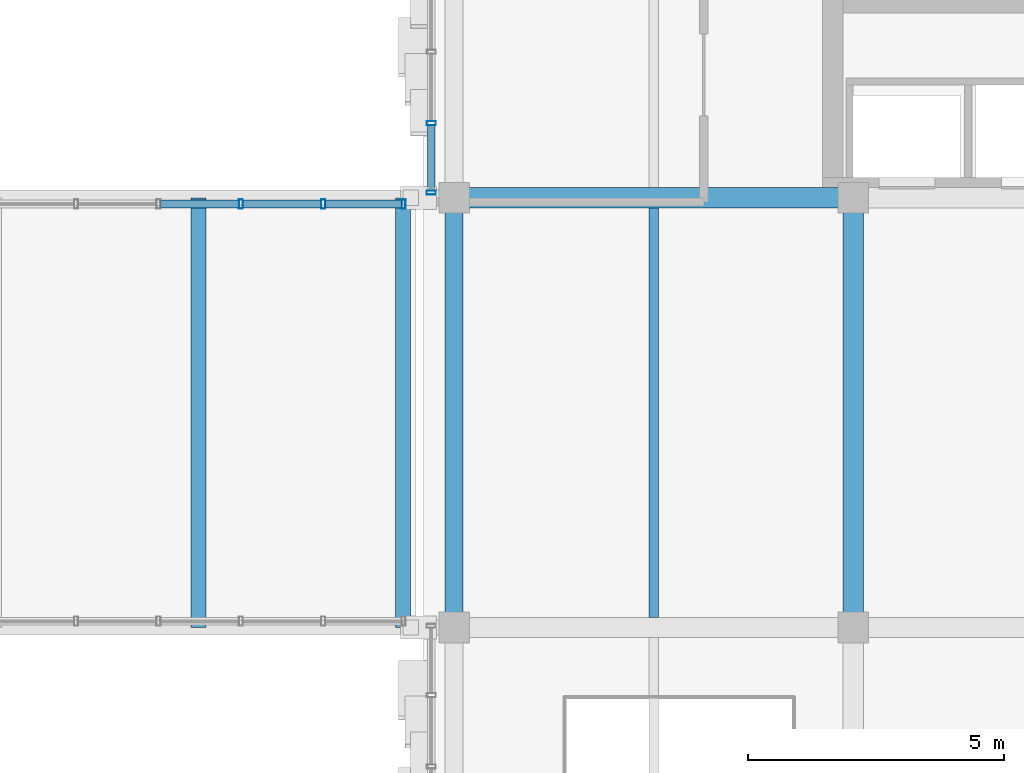
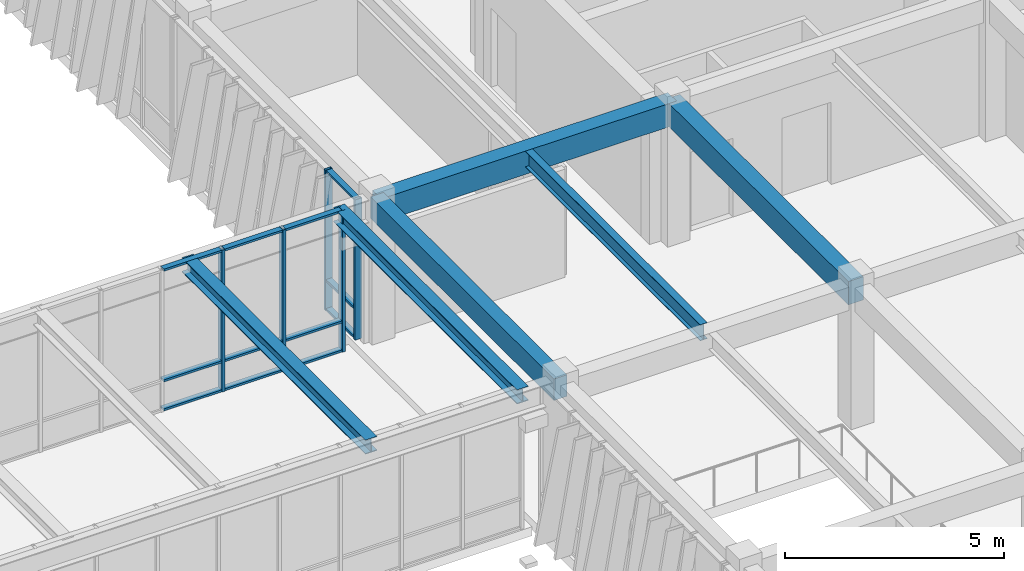
# One storey, part 63 of 127: 17 members, 6 beams, 2 elements without a shape of their own.
"""IFC4 building model written with IfcOpenShell, lengths in metres."""

from ifc_helpers import new_model, si_unit, direction, frame, origin, origin_2d, place, context, subcontext, project, spatial, rectangle, hollow_rectangle, i_section, extrude, material, layer, layer_set, material_profile, profile_set, type_object, element, aggregate, save


model = new_model("IFC4")

# Units and contexts
model_context = context("Model", 3, precision=1e-05, world=origin(), true_north=direction((0.0, 1.0)))
body_context = subcontext(model_context, "Body", "Model", "MODEL_VIEW")
ifc_project = project(units=[si_unit("LENGTHUNIT", "METRE"), si_unit("AREAUNIT", "SQUARE_METRE"), si_unit("VOLUMEUNIT", "CUBIC_METRE"), si_unit("PLANEANGLEUNIT", "RADIAN"), si_unit("MASSUNIT", "GRAM", prefix="KILO")], contexts=[model_context])

# Site, building, storey
site_placement = place(None, origin())
site = spatial("IfcSite", under=ifc_project, at=site_placement, CompositionType="ELEMENT")
building_placement = place(site_placement, origin())
building = spatial("IfcBuilding", under=site, at=building_placement, Name="Zayran Congress Hotel", CompositionType="ELEMENT")
storey_placement = place(building_placement, frame((0.0, 0.0, 10.800048828125)))
storey = spatial("IfcBuildingStorey", under=building, at=storey_placement, Name="L02", CompositionType="ELEMENT", Elevation=10.800048828125)

# Beams
ifc_material_1 = material(Name="Concrete C40/50", Category="concrete")
ifc_material_profile_1 = material_profile(ifc_material_1, rectangle(XDim=0.39990234375, YDim=0.64990234375, at=origin_2d()), Name="RC 400x650")
ifc_profile_set_1 = profile_set([ifc_material_profile_1], Name="Concrete C40/50")
beam_type_1 = type_object("IfcBeamType", Name="TP-BM-03", PredefinedType="BEAM", material=ifc_profile_set_1)
beam_1_placement = place(storey_placement, frame((109.800048828125, 84.39990234375, 3.594970703125), z_axis=(1.0, 0.0, 0.0), x_axis=(0.0, 1.0, 0.0)))
element("IfcBeam", 1, at=beam_1_placement, inside=storey, type_object=beam_type_1, Name="BM-V4-L02-1427", PredefinedType="BEAM", context=body_context, shape_type="SweptSolid", body=[
    extrude(rectangle(XDim=0.39990234375, YDim=0.64990234375, at=origin_2d()), origin(), (0.0, 0.0, 1.0), 7.800048828125),
])
beam_2_placement = place(storey_placement, frame((117.60009765625, 76.0, 3.594970703125), z_axis=(0.0, 1.0, 0.0), x_axis=(-1.0, 0.0, 0.0)))
element("IfcBeam", 2, at=beam_2_placement, inside=storey, type_object=beam_type_1, Name="BM-V4-L02-1450", PredefinedType="BEAM", context=body_context, shape_type="SweptSolid", body=[
    extrude(rectangle(XDim=0.39990234375, YDim=0.64990234375, at=origin_2d()), origin(), (0.0, 0.0, 1.0), 8.39990234375),
])
ifc_material_profile_2 = material_profile(ifc_material_1, rectangle(XDim=0.35009765625, YDim=0.60009765625, at=origin_2d()), Name="RC 350x600")
ifc_profile_set_2 = profile_set([ifc_material_profile_2], Name="Concrete C40/50")
beam_type_2 = type_object("IfcBeamType", Name="TP-SP-01", PredefinedType="SPANDREL", material=ifc_profile_set_2)
beam_3_placement = place(storey_placement, frame((109.800048828125, 76.0, 3.619873046875), z_axis=(0.0, 1.0, 0.0), x_axis=(-1.0, 0.0, 0.0)))
element("IfcBeam", 3, at=beam_3_placement, inside=storey, type_object=beam_type_2, Name="BM-V4-L02-1443", PredefinedType="SPANDREL", context=body_context, shape_type="SweptSolid", body=[
    extrude(rectangle(XDim=0.35009765625, YDim=0.60009765625, at=origin_2d()), origin(), (0.0, 0.0, 1.0), 8.39990234375),
])
ifc_material_2 = material(Name="Steel S355", Category="steel")
ifc_material_profile_3 = material_profile(ifc_material_2, i_section(OverallWidth=0.300048828125, OverallDepth=0.39990234375, WebThickness=0.013427734375, FlangeThickness=0.02392578125, at=origin_2d()), Name="HEB 400")
ifc_profile_set_3 = profile_set([ifc_material_profile_3], Name="Steel S355")
beam_type_3 = type_object("IfcBeamType", Name="TP-BM-10", PredefinedType="BEAM", material=ifc_profile_set_3)
for number, where, z_axis, x_axis, name in (
    (4, (104.800048828125, 76.0, 3.760009765625), (0.0, 1.0, 0.0), (-1.0, 0.0, 0.0), "BM-BR1C-L02-2420"),
    (5, (108.800048828125, 76.0, 3.760009765625), (0.0, 1.0, 0.0), (-1.0, 0.0, 0.0), "BM-BR1C-L02-2421"),
):
    element("IfcBeam", number, at=place(storey_placement, frame(where, z_axis=z_axis, x_axis=x_axis)), inside=storey, type_object=beam_type_3, Name=name, PredefinedType="BEAM", context=body_context, shape_type="SweptSolid", body=[
        extrude(i_section(OverallWidth=0.300048828125, OverallDepth=0.39990234375, WebThickness=0.013427734375, FlangeThickness=0.02392578125, at=origin_2d()), origin(), (0.0, 0.0, 1.0), 8.39990234375),
    ])
ifc_material_profile_4 = material_profile(ifc_material_2, i_section(OverallWidth=0.18994140625, OverallDepth=0.449951171875, WebThickness=0.009521484375, FlangeThickness=0.0146484375, at=origin_2d()), Name="IPE 450")
ifc_profile_set_4 = profile_set([ifc_material_profile_4], Name="Steel S355")
beam_type_4 = type_object("IfcBeamType", Name="TP-JS-02", PredefinedType="JOIST", material=ifc_profile_set_4)
beam_4_placement = place(storey_placement, frame((113.699951171875, 76.199951171875, 3.695068359375), z_axis=(0.0, 1.0, 0.0), x_axis=(-1.0, 0.0, 0.0)))
element("IfcBeam", 6, at=beam_4_placement, inside=storey, type_object=beam_type_4, Name="JST-V4-L02-1473", PredefinedType="JOIST", context=body_context, shape_type="SweptSolid", body=[
    extrude(i_section(OverallWidth=0.18994140625, OverallDepth=0.449951171875, WebThickness=0.009521484375, FlangeThickness=0.0146484375, at=origin_2d()), origin(), (0.0, 0.0, 1.0), 8.0),
])

# Curtain wall, members
ifc_material_3 = material(Name="Anodised aluminium and low-E insulated glass", Category="aluminium")
ifc_layer_1 = layer(ifc_material_3, 0.179931640625)
ifc_layer_set_1 = layer_set([ifc_layer_1], Name="Anodised aluminium and low-E insulated glass")
curtain_wall_type_1 = type_object("IfcCurtainWallType", Name="CW-V4W-L02-CW-53-8371-3920", PredefinedType="USERDEFINED", material=ifc_layer_set_1)
curtain_wall_1_placement = place(storey_placement, origin())
curtain_wall_1 = element("IfcCurtainWall", 7, at=curtain_wall_1_placement, inside=storey, type_object=curtain_wall_type_1, Name="CW-V4W-L02-5", ObjectType="CURTAIN WALL", PredefinedType="USERDEFINED")
ifc_material_4 = material(Name="Anodised aluminium framing", Category="aluminium")
ifc_material_profile_5 = material_profile(ifc_material_4, hollow_rectangle(XDim=0.080078125, YDim=0.179931640625, WallThickness=0.0048828125, at=origin_2d()), Name="RHS 180x80x5")
ifc_profile_set_5 = profile_set([ifc_material_profile_5], Name="Anodised aluminium framing")
member_type_1 = type_object("IfcMemberType", Name="TP-CWM-01", PredefinedType="MULLION", material=ifc_profile_set_5)
member_1_placement = place(storey_placement, frame((109.35009765625, 85.856201171875, 0.0), z_axis=(0.0, 0.0, 1.0), x_axis=(0.0, 1.0, 0.0)))
member_1 = element("IfcMember", 8, at=member_1_placement, type_object=member_type_1, Name="CW-V4W-L02-5-M05", PredefinedType="MULLION", context=body_context, shape_type="SweptSolid", body=[
    extrude(hollow_rectangle(XDim=0.080078125, YDim=0.179931640625, WallThickness=0.0048828125, at=origin_2d()), origin(), (0.0, 0.0, 1.0), 3.919921875),
])
member_2_placement = place(storey_placement, frame((109.35009765625, 84.5009765625, 0.0), z_axis=(0.0, 0.0, 1.0), x_axis=(0.0, 1.0, 0.0)))
member_2 = element("IfcMember", 9, at=member_2_placement, type_object=member_type_1, Name="CW-V4W-L02-5-M06", PredefinedType="MULLION", context=body_context, shape_type="SweptSolid", body=[
    extrude(hollow_rectangle(XDim=0.080078125, YDim=0.179931640625, WallThickness=0.0048828125, at=origin_2d()), origin(), (0.0, 0.0, 1.0), 3.919921875),
])

ifc_layer_2 = layer(ifc_material_3, 0.179931640625)
ifc_layer_set_2 = layer_set([ifc_layer_2], Name="Anodised aluminium and low-E insulated glass")
curtain_wall_type_2 = type_object("IfcCurtainWallType", Name="CW-BR1-L02-CW-BR1-16100-3960", PredefinedType="USERDEFINED", material=ifc_layer_set_2)
curtain_wall_2_placement = place(storey_placement, origin())
curtain_wall_2 = element("IfcCurtainWall", 10, at=curtain_wall_2_placement, inside=storey, type_object=curtain_wall_type_2, Name="CW-BR1N-L02", ObjectType="CURTAIN WALL", PredefinedType="USERDEFINED")
member_3_placement = place(storey_placement, frame((108.81005859375, 84.280029296875, 0.0), z_axis=(0.0, 0.0, 1.0), x_axis=(1.0, 0.0, 0.0)))
member_3 = element("IfcMember", 11, at=member_3_placement, type_object=member_type_1, Name="CW-BR1N-L02-M00", PredefinedType="MULLION", context=body_context, shape_type="SweptSolid", body=[
    extrude(hollow_rectangle(XDim=0.080078125, YDim=0.179931640625, WallThickness=0.0048828125, at=origin_2d()), origin(), (0.0, 0.0, 1.0), 3.9599609375),
])
member_4_placement = place(storey_placement, frame((107.239990234375, 84.280029296875, 0.0), z_axis=(0.0, 0.0, 1.0), x_axis=(1.0, 0.0, 0.0)))
member_4 = element("IfcMember", 12, at=member_4_placement, type_object=member_type_1, Name="CW-BR1N-L02-M01", PredefinedType="MULLION", context=body_context, shape_type="SweptSolid", body=[
    extrude(hollow_rectangle(XDim=0.080078125, YDim=0.179931640625, WallThickness=0.0048828125, at=origin_2d()), origin(), (0.0, 0.0, 1.0), 3.9599609375),
])
member_5_placement = place(storey_placement, frame((105.6298828125, 84.280029296875, 0.0), z_axis=(0.0, 0.0, 1.0), x_axis=(1.0, 0.0, 0.0)))
member_5 = element("IfcMember", 13, at=member_5_placement, type_object=member_type_1, Name="CW-BR1N-L02-M02", PredefinedType="MULLION", context=body_context, shape_type="SweptSolid", body=[
    extrude(hollow_rectangle(XDim=0.080078125, YDim=0.179931640625, WallThickness=0.0048828125, at=origin_2d()), origin(), (0.0, 0.0, 1.0), 3.9599609375),
])

# Member
ifc_material_profile_6 = material_profile(ifc_material_4, hollow_rectangle(XDim=0.06005859375, YDim=0.14990234375, WallThickness=0.00390625, at=origin_2d()), Name="RHS 150x60x4")
ifc_profile_set_6 = profile_set([ifc_material_profile_6], Name="Anodised aluminium framing")
member_type_2 = type_object("IfcMemberType", Name="TP-CWT-01", PredefinedType="USERDEFINED", material=ifc_profile_set_6)
member_6_placement = place(storey_placement, frame((109.35009765625, 85.816162109375, 0.030029296875), z_axis=(0.0, -1.0, 0.0), x_axis=(0.0, 0.0, 1.0)))
member_6 = element("IfcMember", 14, at=member_6_placement, type_object=member_type_2, Name="CW-V4W-L02-5-T05-0", ObjectType="TRANSOM", PredefinedType="USERDEFINED", context=body_context, shape_type="SweptSolid", body=[
    extrude(hollow_rectangle(XDim=0.06005859375, YDim=0.14990234375, WallThickness=0.00390625, at=origin_2d()), origin(), (0.0, 0.0, 1.0), 1.275146484375),
])

member_7_placement = place(storey_placement, frame((109.35009765625, 85.816162109375, 0.83984375), z_axis=(0.0, -1.0, 0.0), x_axis=(0.0, 0.0, 1.0)))
member_7 = element("IfcMember", 15, at=member_7_placement, type_object=member_type_2, Name="CW-V4W-L02-5-T05-1", ObjectType="TRANSOM", PredefinedType="USERDEFINED", context=body_context, shape_type="SweptSolid", body=[
    extrude(hollow_rectangle(XDim=0.06005859375, YDim=0.14990234375, WallThickness=0.00390625, at=origin_2d()), origin(), (0.0, 0.0, 1.0), 1.275146484375),
])

member_8_placement = place(storey_placement, frame((109.35009765625, 85.816162109375, 3.889892578125), z_axis=(0.0, -1.0, 0.0), x_axis=(0.0, 0.0, 1.0)))
member_8 = element("IfcMember", 16, at=member_8_placement, type_object=member_type_2, Name="CW-V4W-L02-5-T05-2", ObjectType="TRANSOM", PredefinedType="USERDEFINED", context=body_context, shape_type="SweptSolid", body=[
    extrude(hollow_rectangle(XDim=0.06005859375, YDim=0.14990234375, WallThickness=0.00390625, at=origin_2d()), origin(), (0.0, 0.0, 1.0), 1.275146484375),
])

aggregate(curtain_wall_1, [member_1, member_2, member_6, member_7, member_8])

member_9_placement = place(storey_placement, frame((108.77001953125, 84.280029296875, 0.030029296875), z_axis=(-1.0, 0.0, 0.0), x_axis=(0.0, 0.0, 1.0)))
member_9 = element("IfcMember", 17, at=member_9_placement, type_object=member_type_2, Name="CW-BR1N-L02-T00-0", ObjectType="TRANSOM", PredefinedType="USERDEFINED", context=body_context, shape_type="SweptSolid", body=[
    extrude(hollow_rectangle(XDim=0.06005859375, YDim=0.14990234375, WallThickness=0.00390625, at=origin_2d()), origin(), (0.0, 0.0, 1.0), 1.489990234375),
])

member_10_placement = place(storey_placement, frame((108.77001953125, 84.280029296875, 0.83984375), z_axis=(-1.0, 0.0, 0.0), x_axis=(0.0, 0.0, 1.0)))
member_10 = element("IfcMember", 18, at=member_10_placement, type_object=member_type_2, Name="CW-BR1N-L02-T00-1", ObjectType="TRANSOM", PredefinedType="USERDEFINED", context=body_context, shape_type="SweptSolid", body=[
    extrude(hollow_rectangle(XDim=0.06005859375, YDim=0.14990234375, WallThickness=0.00390625, at=origin_2d()), origin(), (0.0, 0.0, 1.0), 1.489990234375),
])

member_11_placement = place(storey_placement, frame((108.77001953125, 84.280029296875, 3.929931640625), z_axis=(-1.0, 0.0, 0.0), x_axis=(0.0, 0.0, 1.0)))
member_11 = element("IfcMember", 19, at=member_11_placement, type_object=member_type_2, Name="CW-BR1N-L02-T00-2", ObjectType="TRANSOM", PredefinedType="USERDEFINED", context=body_context, shape_type="SweptSolid", body=[
    extrude(hollow_rectangle(XDim=0.06005859375, YDim=0.14990234375, WallThickness=0.00390625, at=origin_2d()), origin(), (0.0, 0.0, 1.0), 1.489990234375),
])

member_12_placement = place(storey_placement, frame((107.199951171875, 84.280029296875, 0.030029296875), z_axis=(-1.0, 0.0, 0.0), x_axis=(0.0, 0.0, 1.0)))
member_12 = element("IfcMember", 20, at=member_12_placement, type_object=member_type_2, Name="CW-BR1N-L02-T01-0", ObjectType="TRANSOM", PredefinedType="USERDEFINED", context=body_context, shape_type="SweptSolid", body=[
    extrude(hollow_rectangle(XDim=0.06005859375, YDim=0.14990234375, WallThickness=0.00390625, at=origin_2d()), origin(), (0.0, 0.0, 1.0), 1.530029296875),
])

member_13_placement = place(storey_placement, frame((107.199951171875, 84.280029296875, 0.83984375), z_axis=(-1.0, 0.0, 0.0), x_axis=(0.0, 0.0, 1.0)))
member_13 = element("IfcMember", 21, at=member_13_placement, type_object=member_type_2, Name="CW-BR1N-L02-T01-1", ObjectType="TRANSOM", PredefinedType="USERDEFINED", context=body_context, shape_type="SweptSolid", body=[
    extrude(hollow_rectangle(XDim=0.06005859375, YDim=0.14990234375, WallThickness=0.00390625, at=origin_2d()), origin(), (0.0, 0.0, 1.0), 1.530029296875),
])

member_14_placement = place(storey_placement, frame((107.199951171875, 84.280029296875, 3.929931640625), z_axis=(-1.0, 0.0, 0.0), x_axis=(0.0, 0.0, 1.0)))
member_14 = element("IfcMember", 22, at=member_14_placement, type_object=member_type_2, Name="CW-BR1N-L02-T01-2", ObjectType="TRANSOM", PredefinedType="USERDEFINED", context=body_context, shape_type="SweptSolid", body=[
    extrude(hollow_rectangle(XDim=0.06005859375, YDim=0.14990234375, WallThickness=0.00390625, at=origin_2d()), origin(), (0.0, 0.0, 1.0), 1.530029296875),
])

member_15_placement = place(storey_placement, frame((105.590087890625, 84.280029296875, 0.030029296875), z_axis=(-1.0, 0.0, 0.0), x_axis=(0.0, 0.0, 1.0)))
member_15 = element("IfcMember", 23, at=member_15_placement, type_object=member_type_2, Name="CW-BR1N-L02-T02-0", ObjectType="TRANSOM", PredefinedType="USERDEFINED", context=body_context, shape_type="SweptSolid", body=[
    extrude(hollow_rectangle(XDim=0.06005859375, YDim=0.14990234375, WallThickness=0.00390625, at=origin_2d()), origin(), (0.0, 0.0, 1.0), 1.530029296875),
])

member_16_placement = place(storey_placement, frame((105.590087890625, 84.280029296875, 0.83984375), z_axis=(-1.0, 0.0, 0.0), x_axis=(0.0, 0.0, 1.0)))
member_16 = element("IfcMember", 24, at=member_16_placement, type_object=member_type_2, Name="CW-BR1N-L02-T02-1", ObjectType="TRANSOM", PredefinedType="USERDEFINED", context=body_context, shape_type="SweptSolid", body=[
    extrude(hollow_rectangle(XDim=0.06005859375, YDim=0.14990234375, WallThickness=0.00390625, at=origin_2d()), origin(), (0.0, 0.0, 1.0), 1.530029296875),
])

member_17_placement = place(storey_placement, frame((105.590087890625, 84.280029296875, 3.929931640625), z_axis=(-1.0, 0.0, 0.0), x_axis=(0.0, 0.0, 1.0)))
member_17 = element("IfcMember", 25, at=member_17_placement, type_object=member_type_2, Name="CW-BR1N-L02-T02-2", ObjectType="TRANSOM", PredefinedType="USERDEFINED", context=body_context, shape_type="SweptSolid", body=[
    extrude(hollow_rectangle(XDim=0.06005859375, YDim=0.14990234375, WallThickness=0.00390625, at=origin_2d()), origin(), (0.0, 0.0, 1.0), 1.530029296875),
])

aggregate(curtain_wall_2, [member_3, member_4, member_5, member_9, member_10, member_11, member_12, member_13, member_14, member_15, member_16, member_17])

save(model, "model.ifc")
